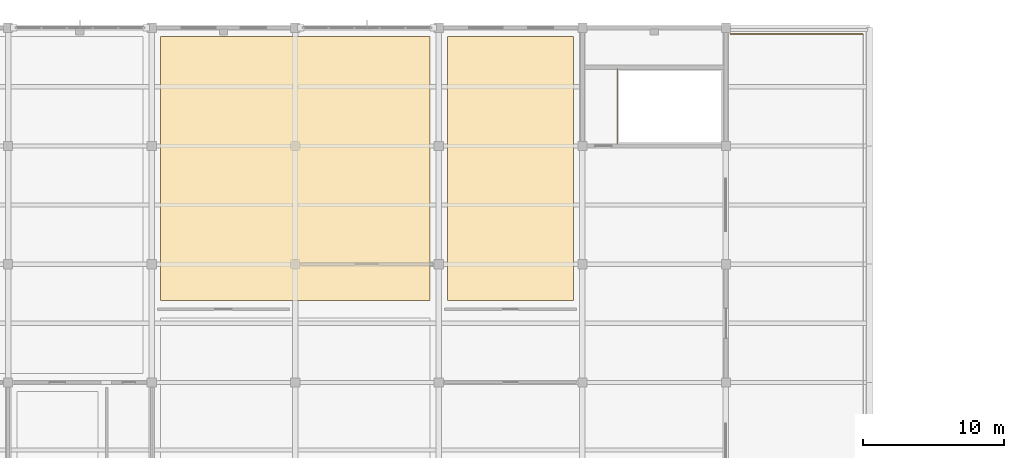
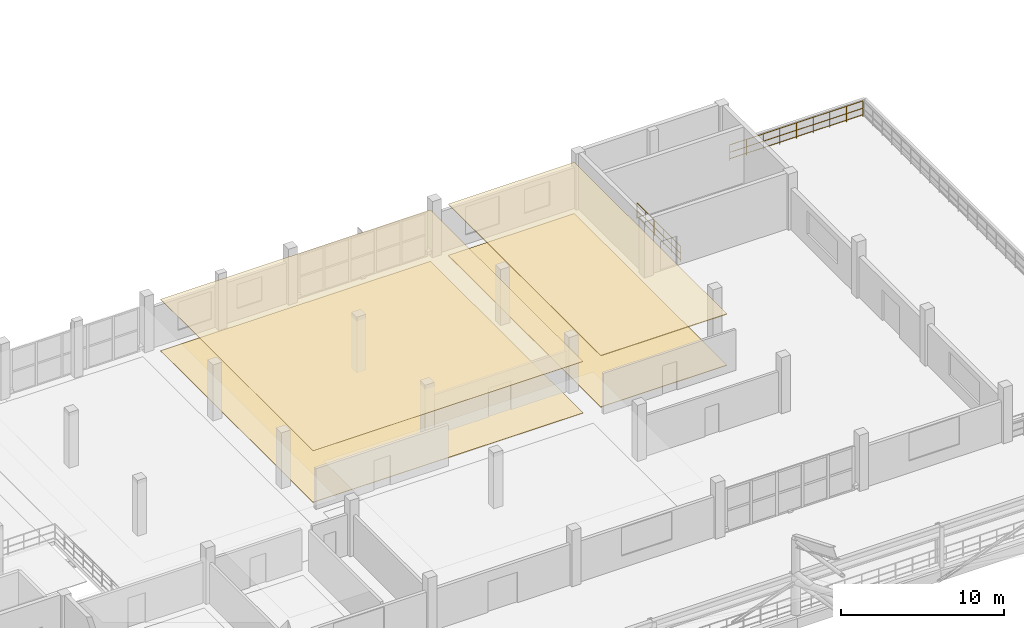
# One storey, part 135 of 135: 4 coverings, 2 railings.
"""IFC4 building model written with IfcOpenShell, lengths in metres."""

from ifc_helpers import new_model, si_unit, direction, frame, origin, origin_2d, place, context, subcontext, project, spatial, polyline, circle, outline, extrude, material, layer, layer_set, type_object, element, save


model = new_model("IFC4")

# Units and contexts
model_context = context("Model", 3, precision=1e-05, world=origin(), true_north=direction((0.0, 1.0)))
body_context = subcontext(model_context, "Body", "Model", "MODEL_VIEW")
ifc_project = project(units=[si_unit("LENGTHUNIT", "METRE"), si_unit("AREAUNIT", "SQUARE_METRE"), si_unit("VOLUMEUNIT", "CUBIC_METRE"), si_unit("PLANEANGLEUNIT", "RADIAN"), si_unit("MASSUNIT", "GRAM", prefix="KILO")], contexts=[model_context])

# Site, building, storey
site_placement = place(None, origin())
site = spatial("IfcSite", under=ifc_project, at=site_placement, CompositionType="ELEMENT")
building_placement = place(site_placement, origin())
building = spatial("IfcBuilding", under=site, at=building_placement, Name="Brelvane Convention Centre", CompositionType="ELEMENT")
storey_placement = place(building_placement, frame((0.0, 0.0, 15.0)))
storey = spatial("IfcBuildingStorey", under=building, at=storey_placement, Name="L03", CompositionType="ELEMENT", Elevation=15.0)

# Coverings
ifc_material_1 = material(Name="Perforated Anodised Aluminium Alloy 6063 Acoustic Baffle", Category="aluminium")
ifc_layer_1 = layer(ifc_material_1, 0.06005859375)
ifc_layer_set_1 = layer_set([ifc_layer_1], Name="Perforated Anodised Aluminium Alloy 6063 Acoustic Baffle")
covering_type_1 = type_object("IfcCoveringType", Name="Interior Finish CL-BAF-60", PredefinedType="CEILING", material=ifc_layer_set_1)
covering_1_placement = place(storey_placement, frame((0.0, 0.0, 3.830078125)))
element("IfcCovering", 1, at=covering_1_placement, inside=storey, type_object=covering_type_1, Name="Coastal Specialty Delegate Restaurant Acoustic Ceiling (CL-BAF-60)", PredefinedType="CEILING", context=body_context, shape_type="SweptSolid", body=[
    extrude(outline(polyline([(82.22998046875, 124.6298828125), (91.169921875, 124.6298828125), (91.169921875, 143.3701171875), (82.22998046875, 143.3701171875), (82.22998046875, 124.6298828125)])), origin(), (0.0, 0.0, 1.0), 0.059814453125),
])
ifc_material_2 = material(Name="Moisture-Resistant Acoustic Gypsum Ceiling Tile Grade A")
ifc_layer_2 = layer(ifc_material_2, 0.033935546875)
ifc_layer_set_2 = layer_set([ifc_layer_2], Name="Moisture-Resistant Acoustic Gypsum Ceiling Tile Grade A")
covering_type_2 = type_object("IfcCoveringType", Name="Interior Finish CL-GYP-34", PredefinedType="CEILING", material=ifc_layer_set_2)
covering_2_placement = place(storey_placement, frame((0.0, 0.0, 3.85595703125)))
element("IfcCovering", 2, at=covering_2_placement, inside=storey, type_object=covering_type_2, Name="Meeting Room 401 Acoustic Ceiling (CL-GYP-34)", PredefinedType="CEILING", context=body_context, shape_type="SweptSolid", body=[
    extrude(outline(polyline([(61.830078125, 124.6298828125), (80.969970703125, 124.6298828125), (80.969970703125, 143.3701171875), (61.830078125, 143.3701171875), (61.830078125, 124.6298828125)])), origin(), (0.0, 0.0, 1.0), 0.033935546875),
])
ifc_material_3 = material(Name="Polished Basalt-Aggregate Terrazzo Screed Concrete M30", Category="masonry")
ifc_layer_3 = layer(ifc_material_3, 0.031982421875)
ifc_layer_set_3 = layer_set([ifc_layer_3], Name="Polished Basalt-Aggregate Terrazzo Screed Concrete M30")
covering_type_3 = type_object("IfcCoveringType", Name="Interior Finish FL-STN-32", PredefinedType="FLOORING", material=ifc_layer_set_3)
covering_3_placement = place(storey_placement, origin())
element("IfcCovering", 3, at=covering_3_placement, inside=storey, type_object=covering_type_3, Name="Meeting Room 401 Floor Finish (FL-STN-32)", PredefinedType="FLOORING", context=body_context, shape_type="SweptSolid", body=[
    extrude(outline(polyline([(61.830078125, 124.6298828125), (80.969970703125, 124.6298828125), (80.969970703125, 143.3701171875), (61.830078125, 143.3701171875), (61.830078125, 124.6298828125)])), origin(), (0.0, 0.0, 1.0), 0.031982421875),
])
ifc_material_4 = material(Name="Polished Basalt-Aggregate Terrazzo Screed Concrete M30", Category="masonry")
ifc_layer_4 = layer(ifc_material_4, 0.0400390625)
ifc_layer_set_4 = layer_set([ifc_layer_4], Name="Polished Basalt-Aggregate Terrazzo Screed Concrete M30")
covering_type_4 = type_object("IfcCoveringType", Name="Interior Finish FL-TER-40", PredefinedType="FLOORING", material=ifc_layer_set_4)
covering_4_placement = place(storey_placement, origin())
element("IfcCovering", 4, at=covering_4_placement, inside=storey, type_object=covering_type_4, Name="Coastal Specialty Delegate Restaurant Floor Finish (FL-TER-40)", PredefinedType="FLOORING", context=body_context, shape_type="SweptSolid", body=[
    extrude(outline(polyline([(82.22998046875, 124.6298828125), (91.169921875, 124.6298828125), (91.169921875, 143.3701171875), (82.22998046875, 143.3701171875), (82.22998046875, 124.6298828125)])), origin(), (0.0, 0.0, 1.0), 0.0400390625),
])

# Railings
ifc_material_5 = material(Name="Steel E350 (350 MPa)", Category="steel")
railing_type_1 = type_object("IfcRailingType", Name="Railing GR-EXT-2", PredefinedType="GUARDRAIL", material=ifc_material_5)
railing_1_placement = place(storey_placement, frame((111.75, 143.550048828125, 0.0)))
element("IfcRailing", 5, at=railing_1_placement, inside=storey, type_object=railing_type_1, Name="Railing GR-EXT-2 L03-rg_meet_l03_s3", PredefinedType="GUARDRAIL", context=body_context, shape_type="SweptSolid", body=[
    extrude(circle(Radius=0.02392578125, at=origin_2d()), frame((0.0, 0.0, 1.17578125), z_axis=(-1.0, 0.0, 0.0), x_axis=(0.0, -1.0, 0.0)), (0.0, 0.0, 1.0), 9.449951171875),
    extrude(circle(Radius=0.02392578125, at=origin_2d()), frame((0.0, 0.0, 0.6240234375), z_axis=(-1.0, 0.0, 0.0), x_axis=(0.0, -1.0, 0.0)), (0.0, 0.0, 1.0), 9.449951171875),
    extrude(circle(Radius=0.02392578125, at=origin_2d()), frame((0.0, 0.0, 0.139892578125), z_axis=(-1.0, 0.0, 0.0), x_axis=(0.0, -1.0, 0.0)), (0.0, 0.0, 1.0), 9.449951171875),
    extrude(circle(Radius=0.02099609375, at=origin_2d()), origin(), (0.0, 0.0, 1.0), 1.15185546875),
    extrude(circle(Radius=0.02099609375, at=origin_2d()), frame((-1.18115234375, 0.0, 0.0)), (0.0, 0.0, 1.0), 1.15185546875),
    extrude(circle(Radius=0.02099609375, at=origin_2d()), frame((-2.362548828125, 0.0, 0.0)), (0.0, 0.0, 1.0), 1.15185546875),
    extrude(circle(Radius=0.02099609375, at=origin_2d()), frame((-3.543701171875, 0.0, 0.0)), (0.0, 0.0, 1.0), 1.15185546875),
    extrude(circle(Radius=0.02099609375, at=origin_2d()), frame((-4.72509765625, 0.0, 0.0)), (0.0, 0.0, 1.0), 1.15185546875),
    extrude(circle(Radius=0.02099609375, at=origin_2d()), frame((-5.90625, 0.0, 0.0)), (0.0, 0.0, 1.0), 1.15185546875),
    extrude(circle(Radius=0.02099609375, at=origin_2d()), frame((-7.08740234375, 0.0, 0.0)), (0.0, 0.0, 1.0), 1.15185546875),
    extrude(circle(Radius=0.02099609375, at=origin_2d()), frame((-8.268798828125, 0.0, 0.0)), (0.0, 0.0, 1.0), 1.15185546875),
    extrude(circle(Radius=0.02099609375, at=origin_2d()), frame((-9.449951171875, 0.0, 0.0)), (0.0, 0.0, 1.0), 1.15185546875),
])
ifc_material_6 = material(Name="Steel E350 (350 MPa)", Category="steel")
railing_type_2 = type_object("IfcRailingType", Name="Stair Railing GR-ST-2", PredefinedType="GUARDRAIL", material=ifc_material_6)
railing_2_placement = place(storey_placement, frame((94.2900390625, 135.719970703125, -0.02001953125)))
element("IfcRailing", 6, at=railing_2_placement, inside=storey, type_object=railing_type_2, Name="Stair ST-12 L03 Top Well Guard", PredefinedType="GUARDRAIL", context=body_context, shape_type="SweptSolid", body=[
    extrude(circle(Radius=0.02392578125, at=origin_2d()), frame((0.0, 0.0, 1.15576171875), z_axis=(0.0, 1.0, 0.0), x_axis=(-1.0, 0.0, 0.0)), (0.0, 0.0, 1.0), 5.360107421875),
    extrude(circle(Radius=0.02392578125, at=origin_2d()), frame((0.0, 0.0, 0.613525390625), z_axis=(0.0, 1.0, 0.0), x_axis=(-1.0, 0.0, 0.0)), (0.0, 0.0, 1.0), 5.360107421875),
    extrude(circle(Radius=0.02392578125, at=origin_2d()), frame((0.0, 0.0, 0.139892578125), z_axis=(0.0, 1.0, 0.0), x_axis=(-1.0, 0.0, 0.0)), (0.0, 0.0, 1.0), 5.360107421875),
    extrude(circle(Radius=0.02099609375, at=origin_2d()), origin(), (0.0, 0.0, 1.0), 1.1318359375),
    extrude(circle(Radius=0.02099609375, at=origin_2d()), frame((0.0, 1.072021484375, 0.0)), (0.0, 0.0, 1.0), 1.1318359375),
    extrude(circle(Radius=0.02099609375, at=origin_2d()), frame((0.0, 2.14404296875, 0.0)), (0.0, 0.0, 1.0), 1.1318359375),
    extrude(circle(Radius=0.02099609375, at=origin_2d()), frame((0.0, 3.216064453125, 0.0)), (0.0, 0.0, 1.0), 1.1318359375),
    extrude(circle(Radius=0.02099609375, at=origin_2d()), frame((0.0, 4.2880859375, 0.0)), (0.0, 0.0, 1.0), 1.1318359375),
    extrude(circle(Radius=0.02099609375, at=origin_2d()), frame((0.0, 5.360107421875, 0.0)), (0.0, 0.0, 1.0), 1.1318359375),
])

save(model, "model.ifc")
